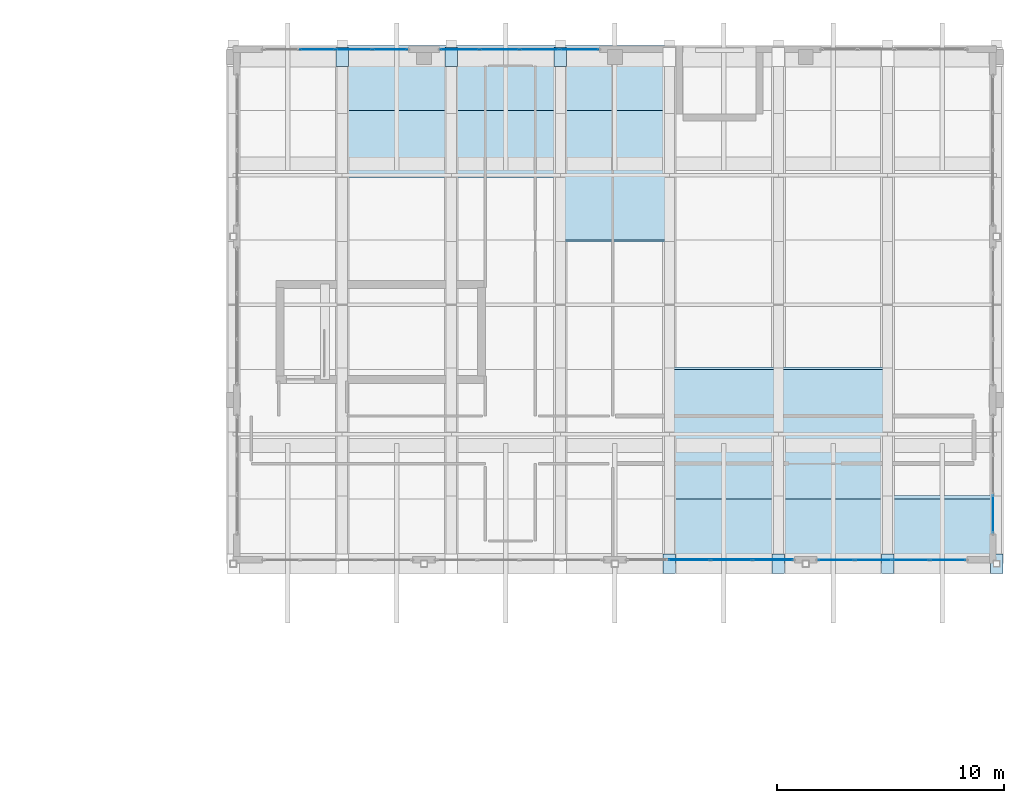
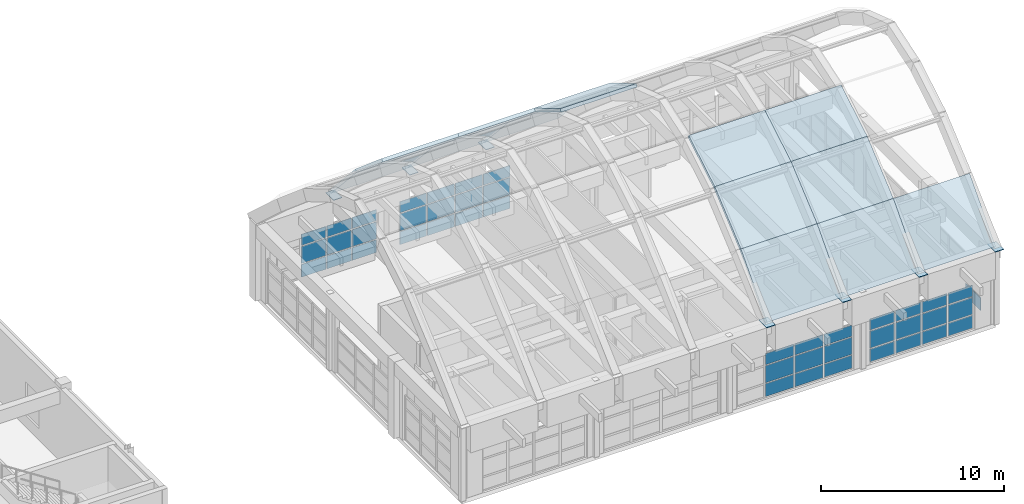
# One storey, part 59 of 78: 50 plates, 14 slabs, 5 elements without a shape of their own.
"""IFC4 building model written with IfcOpenShell, lengths in metres."""

from ifc_helpers import new_model, si_unit, direction, frame, origin, origin_2d, place, context, subcontext, project, spatial, polyline, rectangle, outline, extrude, material, layer, layer_set, type_object, element, aggregate, save


model = new_model("IFC4")

# Units and contexts
model_context = context("Model", 3, precision=1e-05, world=origin(), true_north=direction((0.0, 1.0)))
body_context = subcontext(model_context, "Body", "Model", "MODEL_VIEW")
ifc_project = project(units=[si_unit("LENGTHUNIT", "METRE"), si_unit("AREAUNIT", "SQUARE_METRE"), si_unit("VOLUMEUNIT", "CUBIC_METRE"), si_unit("PLANEANGLEUNIT", "RADIAN"), si_unit("MASSUNIT", "GRAM", prefix="KILO")], contexts=[model_context])

# Site, building, storey
site_placement = place(None, origin())
site = spatial("IfcSite", under=ifc_project, at=site_placement, CompositionType="ELEMENT")
building_placement = place(site_placement, origin())
building = spatial("IfcBuilding", under=site, at=building_placement, Name="Quendrovan Civic Courthouse", CompositionType="ELEMENT")
storey_placement = place(building_placement, frame((0.0, 0.0, 20.39990234375)))
storey = spatial("IfcBuildingStorey", under=building, at=storey_placement, Name="L05", CompositionType="ELEMENT", Elevation=20.39990234375)

# Curtain wall, plates
ifc_material_1 = material(Name="Bronze anodised aluminium and low-E glass", Category="aluminium")
ifc_layer_1 = layer(ifc_material_1, 0.179931640625, Name="Bronze anodised aluminium and low-E glass")
ifc_layer_set_1 = layer_set([ifc_layer_1], Name="Bronze anodised aluminium and low-E glass")
curtain_wall_type_1 = type_object("IfcCurtainWallType", Name="CW-U64x30", PredefinedType="USERDEFINED", material=ifc_layer_set_1)
curtain_wall_1_placement = place(storey_placement, origin())
curtain_wall_1 = element("IfcCurtainWall", 1, at=curtain_wall_1_placement, inside=storey, type_object=curtain_wall_type_1, Name="L05 Unitised Hurricane Curtain Wall CW-192", ObjectType="UNITISED CURTAIN WALL", PredefinedType="USERDEFINED")
ifc_material_2 = material(Name="Laminated hurricane-impact low-E glass", Category="glass")
ifc_layer_2 = layer(ifc_material_2, 0.028076171875, Name="Laminated hurricane-impact low-E glass")
ifc_layer_set_2 = layer_set([ifc_layer_2], Name="Laminated hurricane-impact low-E glass")
plate_type_1 = type_object("IfcPlateType", Name="CW-PNL-1", PredefinedType="CURTAIN_PANEL", material=ifc_layer_set_2)
plate_1_placement = place(storey_placement, frame((112.909423828125, 110.235107421875, 0.0703125), z_axis=(0.0, 0.0, 1.0), x_axis=(1.0, 0.0, 0.0)))
plate_1 = element("IfcPlate", 2, at=plate_1_placement, type_object=plate_type_1, Name="CW-192 panel 2.1", PredefinedType="CURTAIN_PANEL", context=body_context, shape_type="SweptSolid", body=[
    extrude(rectangle(XDim=1.5361328125, YDim=0.028076171875, at=origin_2d()), origin(), (0.0, 0.0, 1.0), 0.844970703125),
])
plate_2_placement = place(storey_placement, frame((112.909423828125, 110.235107421875, 0.985107421875), z_axis=(0.0, 0.0, 1.0), x_axis=(1.0, 0.0, 0.0)))
plate_2 = element("IfcPlate", 3, at=plate_2_placement, type_object=plate_type_1, Name="CW-192 panel 2.2", PredefinedType="CURTAIN_PANEL", context=body_context, shape_type="SweptSolid", body=[
    extrude(rectangle(XDim=1.5361328125, YDim=0.028076171875, at=origin_2d()), origin(), (0.0, 0.0, 1.0), 1.1298828125),
])
plate_3_placement = place(storey_placement, frame((112.909423828125, 110.235107421875, 2.18505859375), z_axis=(0.0, 0.0, 1.0), x_axis=(1.0, 0.0, 0.0)))
plate_3 = element("IfcPlate", 4, at=plate_3_placement, type_object=plate_type_1, Name="CW-192 panel 2.3", PredefinedType="CURTAIN_PANEL", context=body_context, shape_type="SweptSolid", body=[
    extrude(rectangle(XDim=1.5361328125, YDim=0.028076171875, at=origin_2d()), origin(), (0.0, 0.0, 1.0), 0.735107421875),
])
plate_4_placement = place(storey_placement, frame((114.515625, 110.235107421875, 0.0703125), z_axis=(0.0, 0.0, 1.0), x_axis=(1.0, 0.0, 0.0)))
plate_4 = element("IfcPlate", 5, at=plate_4_placement, type_object=plate_type_1, Name="CW-192 panel 3.1", PredefinedType="CURTAIN_PANEL", context=body_context, shape_type="SweptSolid", body=[
    extrude(rectangle(XDim=1.5361328125, YDim=0.028076171875, at=origin_2d()), origin(), (0.0, 0.0, 1.0), 0.844970703125),
])
plate_5_placement = place(storey_placement, frame((114.515625, 110.235107421875, 0.985107421875), z_axis=(0.0, 0.0, 1.0), x_axis=(1.0, 0.0, 0.0)))
plate_5 = element("IfcPlate", 6, at=plate_5_placement, type_object=plate_type_1, Name="CW-192 panel 3.2", PredefinedType="CURTAIN_PANEL", context=body_context, shape_type="SweptSolid", body=[
    extrude(rectangle(XDim=1.5361328125, YDim=0.028076171875, at=origin_2d()), origin(), (0.0, 0.0, 1.0), 1.1298828125),
])
plate_6_placement = place(storey_placement, frame((114.515625, 110.235107421875, 2.18505859375), z_axis=(0.0, 0.0, 1.0), x_axis=(1.0, 0.0, 0.0)))
plate_6 = element("IfcPlate", 7, at=plate_6_placement, type_object=plate_type_1, Name="CW-192 panel 3.3", PredefinedType="CURTAIN_PANEL", context=body_context, shape_type="SweptSolid", body=[
    extrude(rectangle(XDim=1.5361328125, YDim=0.028076171875, at=origin_2d()), origin(), (0.0, 0.0, 1.0), 0.735107421875),
])
plate_7_placement = place(storey_placement, frame((116.1044921875, 110.235107421875, 0.0703125), z_axis=(0.0, 0.0, 1.0), x_axis=(1.0, 0.0, 0.0)))
plate_7 = element("IfcPlate", 8, at=plate_7_placement, type_object=plate_type_1, Name="CW-192 panel 4.1", PredefinedType="CURTAIN_PANEL", context=body_context, shape_type="SweptSolid", body=[
    extrude(rectangle(XDim=1.501220703125, YDim=0.028076171875, at=origin_2d()), origin(), (0.0, 0.0, 1.0), 0.844970703125),
])
plate_8_placement = place(storey_placement, frame((116.1044921875, 110.235107421875, 0.985107421875), z_axis=(0.0, 0.0, 1.0), x_axis=(1.0, 0.0, 0.0)))
plate_8 = element("IfcPlate", 9, at=plate_8_placement, type_object=plate_type_1, Name="CW-192 panel 4.2", PredefinedType="CURTAIN_PANEL", context=body_context, shape_type="SweptSolid", body=[
    extrude(rectangle(XDim=1.501220703125, YDim=0.028076171875, at=origin_2d()), origin(), (0.0, 0.0, 1.0), 1.1298828125),
])
plate_9_placement = place(storey_placement, frame((116.1044921875, 110.235107421875, 2.18505859375), z_axis=(0.0, 0.0, 1.0), x_axis=(1.0, 0.0, 0.0)))
plate_9 = element("IfcPlate", 10, at=plate_9_placement, type_object=plate_type_1, Name="CW-192 panel 4.3", PredefinedType="CURTAIN_PANEL", context=body_context, shape_type="SweptSolid", body=[
    extrude(rectangle(XDim=1.501220703125, YDim=0.028076171875, at=origin_2d()), origin(), (0.0, 0.0, 1.0), 0.735107421875),
])
aggregate(curtain_wall_1, [plate_1, plate_2, plate_3, plate_4, plate_5, plate_6, plate_7, plate_8, plate_9])

ifc_layer_3 = layer(ifc_material_1, 0.179931640625, Name="Bronze anodised aluminium and low-E glass")
ifc_layer_set_3 = layer_set([ifc_layer_3], Name="Bronze anodised aluminium and low-E glass")
curtain_wall_type_2 = type_object("IfcCurtainWallType", Name="CW-U70x30", PredefinedType="USERDEFINED", material=ifc_layer_set_3)
curtain_wall_2_placement = place(storey_placement, origin())
curtain_wall_2 = element("IfcCurtainWall", 11, at=curtain_wall_2_placement, inside=storey, type_object=curtain_wall_type_2, Name="L05 Unitised Hurricane Curtain Wall CW-193", ObjectType="UNITISED CURTAIN WALL", PredefinedType="USERDEFINED")
ifc_layer_4 = layer(ifc_material_2, 0.031982421875, Name="Laminated hurricane-impact low-E glass")
ifc_layer_set_4 = layer_set([ifc_layer_4], Name="Laminated hurricane-impact low-E glass")
plate_type_2 = type_object("IfcPlateType", Name="CW-PNL-2", PredefinedType="CURTAIN_PANEL", material=ifc_layer_set_4)
plate_10_placement = place(storey_placement, frame((119.172607421875, 110.235107421875, 0.065185546875), z_axis=(0.0, 0.0, 1.0), x_axis=(1.0, 0.0, 0.0)))
plate_10 = element("IfcPlate", 12, at=plate_10_placement, type_object=plate_type_2, Name="CW-193 panel 1.1", PredefinedType="CURTAIN_PANEL", context=body_context, shape_type="SweptSolid", body=[
    extrude(rectangle(XDim=1.6650390625, YDim=0.031982421875, at=origin_2d()), origin(), (0.0, 0.0, 1.0), 0.8525390625),
])
plate_11_placement = place(storey_placement, frame((119.172607421875, 110.235107421875, 0.982421875), z_axis=(0.0, 0.0, 1.0), x_axis=(1.0, 0.0, 0.0)))
plate_11 = element("IfcPlate", 13, at=plate_11_placement, type_object=plate_type_2, Name="CW-193 panel 1.2", PredefinedType="CURTAIN_PANEL", context=body_context, shape_type="SweptSolid", body=[
    extrude(rectangle(XDim=1.6650390625, YDim=0.031982421875, at=origin_2d()), origin(), (0.0, 0.0, 1.0), 1.135009765625),
])
plate_12_placement = place(storey_placement, frame((119.172607421875, 110.235107421875, 2.1826171875), z_axis=(0.0, 0.0, 1.0), x_axis=(1.0, 0.0, 0.0)))
plate_12 = element("IfcPlate", 14, at=plate_12_placement, type_object=plate_type_2, Name="CW-193 panel 1.3", PredefinedType="CURTAIN_PANEL", context=body_context, shape_type="SweptSolid", body=[
    extrude(rectangle(XDim=1.6650390625, YDim=0.031982421875, at=origin_2d()), origin(), (0.0, 0.0, 1.0), 0.742431640625),
])
plate_13_placement = place(storey_placement, frame((120.918701171875, 110.235107421875, 0.065185546875), z_axis=(0.0, 0.0, 1.0), x_axis=(1.0, 0.0, 0.0)))
plate_13 = element("IfcPlate", 15, at=plate_13_placement, type_object=plate_type_2, Name="CW-193 panel 2.1", PredefinedType="CURTAIN_PANEL", context=body_context, shape_type="SweptSolid", body=[
    extrude(rectangle(XDim=1.697509765625, YDim=0.031982421875, at=origin_2d()), origin(), (0.0, 0.0, 1.0), 0.8525390625),
])
plate_14_placement = place(storey_placement, frame((120.918701171875, 110.235107421875, 0.982421875), z_axis=(0.0, 0.0, 1.0), x_axis=(1.0, 0.0, 0.0)))
plate_14 = element("IfcPlate", 16, at=plate_14_placement, type_object=plate_type_2, Name="CW-193 panel 2.2", PredefinedType="CURTAIN_PANEL", context=body_context, shape_type="SweptSolid", body=[
    extrude(rectangle(XDim=1.697509765625, YDim=0.031982421875, at=origin_2d()), origin(), (0.0, 0.0, 1.0), 1.135009765625),
])
plate_15_placement = place(storey_placement, frame((120.918701171875, 110.235107421875, 2.1826171875), z_axis=(0.0, 0.0, 1.0), x_axis=(1.0, 0.0, 0.0)))
plate_15 = element("IfcPlate", 17, at=plate_15_placement, type_object=plate_type_2, Name="CW-193 panel 2.3", PredefinedType="CURTAIN_PANEL", context=body_context, shape_type="SweptSolid", body=[
    extrude(rectangle(XDim=1.697509765625, YDim=0.031982421875, at=origin_2d()), origin(), (0.0, 0.0, 1.0), 0.742431640625),
])
plate_16_placement = place(storey_placement, frame((122.68115234375, 110.235107421875, 0.065185546875), z_axis=(0.0, 0.0, 1.0), x_axis=(1.0, 0.0, 0.0)))
plate_16 = element("IfcPlate", 18, at=plate_16_placement, type_object=plate_type_2, Name="CW-193 panel 3.1", PredefinedType="CURTAIN_PANEL", context=body_context, shape_type="SweptSolid", body=[
    extrude(rectangle(XDim=1.697509765625, YDim=0.031982421875, at=origin_2d()), origin(), (0.0, 0.0, 1.0), 0.8525390625),
])
plate_17_placement = place(storey_placement, frame((122.68115234375, 110.235107421875, 0.982421875), z_axis=(0.0, 0.0, 1.0), x_axis=(1.0, 0.0, 0.0)))
plate_17 = element("IfcPlate", 19, at=plate_17_placement, type_object=plate_type_2, Name="CW-193 panel 3.2", PredefinedType="CURTAIN_PANEL", context=body_context, shape_type="SweptSolid", body=[
    extrude(rectangle(XDim=1.697509765625, YDim=0.031982421875, at=origin_2d()), origin(), (0.0, 0.0, 1.0), 1.135009765625),
])
plate_18_placement = place(storey_placement, frame((122.68115234375, 110.235107421875, 2.1826171875), z_axis=(0.0, 0.0, 1.0), x_axis=(1.0, 0.0, 0.0)))
plate_18 = element("IfcPlate", 20, at=plate_18_placement, type_object=plate_type_2, Name="CW-193 panel 3.3", PredefinedType="CURTAIN_PANEL", context=body_context, shape_type="SweptSolid", body=[
    extrude(rectangle(XDim=1.697509765625, YDim=0.031982421875, at=origin_2d()), origin(), (0.0, 0.0, 1.0), 0.742431640625),
])
plate_19_placement = place(storey_placement, frame((124.427490234375, 110.235107421875, 0.065185546875), z_axis=(0.0, 0.0, 1.0), x_axis=(1.0, 0.0, 0.0)))
plate_19 = element("IfcPlate", 21, at=plate_19_placement, type_object=plate_type_2, Name="CW-193 panel 4.1", PredefinedType="CURTAIN_PANEL", context=body_context, shape_type="SweptSolid", body=[
    extrude(rectangle(XDim=1.6650390625, YDim=0.031982421875, at=origin_2d()), origin(), (0.0, 0.0, 1.0), 0.8525390625),
])
plate_20_placement = place(storey_placement, frame((124.427490234375, 110.235107421875, 0.982421875), z_axis=(0.0, 0.0, 1.0), x_axis=(1.0, 0.0, 0.0)))
plate_20 = element("IfcPlate", 22, at=plate_20_placement, type_object=plate_type_2, Name="CW-193 panel 4.2", PredefinedType="CURTAIN_PANEL", context=body_context, shape_type="SweptSolid", body=[
    extrude(rectangle(XDim=1.6650390625, YDim=0.031982421875, at=origin_2d()), origin(), (0.0, 0.0, 1.0), 1.135009765625),
])
plate_21_placement = place(storey_placement, frame((124.427490234375, 110.235107421875, 2.1826171875), z_axis=(0.0, 0.0, 1.0), x_axis=(1.0, 0.0, 0.0)))
plate_21 = element("IfcPlate", 23, at=plate_21_placement, type_object=plate_type_2, Name="CW-193 panel 4.3", PredefinedType="CURTAIN_PANEL", context=body_context, shape_type="SweptSolid", body=[
    extrude(rectangle(XDim=1.6650390625, YDim=0.031982421875, at=origin_2d()), origin(), (0.0, 0.0, 1.0), 0.742431640625),
])
aggregate(curtain_wall_2, [plate_10, plate_11, plate_12, plate_13, plate_14, plate_15, plate_16, plate_17, plate_18, plate_19, plate_20, plate_21])

# Curtain wall, plate
ifc_layer_5 = layer(ifc_material_1, 0.179931640625, Name="Bronze anodised aluminium and low-E glass")
ifc_layer_set_5 = layer_set([ifc_layer_5], Name="Bronze anodised aluminium and low-E glass")
curtain_wall_type_3 = type_object("IfcCurtainWallType", Name="CW-U52x30", PredefinedType="USERDEFINED", material=ifc_layer_set_5)
curtain_wall_3_placement = place(storey_placement, origin())
curtain_wall_3 = element("IfcCurtainWall", 24, at=curtain_wall_3_placement, inside=storey, type_object=curtain_wall_type_3, Name="L05 Unitised Hurricane Curtain Wall CW-197", ObjectType="UNITISED CURTAIN WALL", PredefinedType="USERDEFINED")
plate_22_placement = place(storey_placement, frame((142.635009765625, 89.787109375, 0.065185546875), z_axis=(0.0, 0.0, 1.0), x_axis=(0.0, -1.0, 0.0)))
plate_22 = element("IfcPlate", 25, at=plate_22_placement, type_object=plate_type_2, Name="CW-197 panel 3.1", PredefinedType="CURTAIN_PANEL", context=body_context, shape_type="SweptSolid", body=[
    extrude(rectangle(XDim=1.644287109375, YDim=0.031982421875, at=origin_2d()), origin(), (0.0, 0.0, 1.0), 0.8525390625),
])
aggregate(curtain_wall_3, [plate_22])

# Curtain wall, plates
ifc_layer_6 = layer(ifc_material_1, 0.179931640625, Name="Bronze anodised aluminium and low-E glass")
ifc_layer_set_6 = layer_set([ifc_layer_6], Name="Bronze anodised aluminium and low-E glass")
curtain_wall_type_4 = type_object("IfcCurtainWallType", Name="CW-U66x30", PredefinedType="USERDEFINED", material=ifc_layer_set_6)
curtain_wall_4_placement = place(storey_placement, origin())
curtain_wall_4 = element("IfcCurtainWall", 26, at=curtain_wall_4_placement, inside=storey, type_object=curtain_wall_type_4, Name="L05 Unitised Hurricane Curtain Wall CW-198", ObjectType="UNITISED CURTAIN WALL", PredefinedType="USERDEFINED")
ifc_layer_7 = layer(ifc_material_2, 0.035888671875, Name="Laminated hurricane-impact low-E glass")
ifc_layer_set_7 = layer_set([ifc_layer_7], Name="Laminated hurricane-impact low-E glass")
plate_type_3 = type_object("IfcPlateType", Name="CW-PNL-3", PredefinedType="CURTAIN_PANEL", material=ifc_layer_set_7)
plate_23_placement = place(storey_placement, frame((140.657470703125, 87.764892578125, 0.0703125), z_axis=(0.0, 0.0, 1.0), x_axis=(-1.0, 0.0, 0.0)))
plate_23 = element("IfcPlate", 27, at=plate_23_placement, type_object=plate_type_3, Name="CW-198 panel 1.1", PredefinedType="CURTAIN_PANEL", context=body_context, shape_type="SweptSolid", body=[
    extrude(rectangle(XDim=1.544921875, YDim=0.035888671875, at=origin_2d()), origin(), (0.0, 0.0, 1.0), 0.844970703125),
])
plate_24_placement = place(storey_placement, frame((140.657470703125, 87.764892578125, 0.985107421875), z_axis=(0.0, 0.0, 1.0), x_axis=(-1.0, 0.0, 0.0)))
plate_24 = element("IfcPlate", 28, at=plate_24_placement, type_object=plate_type_3, Name="CW-198 panel 1.2", PredefinedType="CURTAIN_PANEL", context=body_context, shape_type="SweptSolid", body=[
    extrude(rectangle(XDim=1.544921875, YDim=0.035888671875, at=origin_2d()), origin(), (0.0, 0.0, 1.0), 1.1298828125),
])
plate_25_placement = place(storey_placement, frame((140.657470703125, 87.764892578125, 2.18505859375), z_axis=(0.0, 0.0, 1.0), x_axis=(-1.0, 0.0, 0.0)))
plate_25 = element("IfcPlate", 29, at=plate_25_placement, type_object=plate_type_3, Name="CW-198 panel 1.3", PredefinedType="CURTAIN_PANEL", context=body_context, shape_type="SweptSolid", body=[
    extrude(rectangle(XDim=1.544921875, YDim=0.035888671875, at=origin_2d()), origin(), (0.0, 0.0, 1.0), 0.735107421875),
])
plate_26_placement = place(storey_placement, frame((139.02490234375, 87.764892578125, 0.0703125), z_axis=(0.0, 0.0, 1.0), x_axis=(-1.0, 0.0, 0.0)))
plate_26 = element("IfcPlate", 30, at=plate_26_placement, type_object=plate_type_3, Name="CW-198 panel 2.1", PredefinedType="CURTAIN_PANEL", context=body_context, shape_type="SweptSolid", body=[
    extrude(rectangle(XDim=1.580078125, YDim=0.035888671875, at=origin_2d()), origin(), (0.0, 0.0, 1.0), 0.844970703125),
])
plate_27_placement = place(storey_placement, frame((139.02490234375, 87.764892578125, 0.985107421875), z_axis=(0.0, 0.0, 1.0), x_axis=(-1.0, 0.0, 0.0)))
plate_27 = element("IfcPlate", 31, at=plate_27_placement, type_object=plate_type_3, Name="CW-198 panel 2.2", PredefinedType="CURTAIN_PANEL", context=body_context, shape_type="SweptSolid", body=[
    extrude(rectangle(XDim=1.580078125, YDim=0.035888671875, at=origin_2d()), origin(), (0.0, 0.0, 1.0), 1.1298828125),
])
plate_28_placement = place(storey_placement, frame((139.02490234375, 87.764892578125, 2.18505859375), z_axis=(0.0, 0.0, 1.0), x_axis=(-1.0, 0.0, 0.0)))
plate_28 = element("IfcPlate", 32, at=plate_28_placement, type_object=plate_type_3, Name="CW-198 panel 2.3", PredefinedType="CURTAIN_PANEL", context=body_context, shape_type="SweptSolid", body=[
    extrude(rectangle(XDim=1.580078125, YDim=0.035888671875, at=origin_2d()), origin(), (0.0, 0.0, 1.0), 0.735107421875),
])
plate_29_placement = place(storey_placement, frame((137.375, 87.764892578125, 0.0703125), z_axis=(0.0, 0.0, 1.0), x_axis=(-1.0, 0.0, 0.0)))
plate_29 = element("IfcPlate", 33, at=plate_29_placement, type_object=plate_type_3, Name="CW-198 panel 3.1", PredefinedType="CURTAIN_PANEL", context=body_context, shape_type="SweptSolid", body=[
    extrude(rectangle(XDim=1.580078125, YDim=0.035888671875, at=origin_2d()), origin(), (0.0, 0.0, 1.0), 0.844970703125),
])
plate_30_placement = place(storey_placement, frame((137.375, 87.764892578125, 0.985107421875), z_axis=(0.0, 0.0, 1.0), x_axis=(-1.0, 0.0, 0.0)))
plate_30 = element("IfcPlate", 34, at=plate_30_placement, type_object=plate_type_3, Name="CW-198 panel 3.2", PredefinedType="CURTAIN_PANEL", context=body_context, shape_type="SweptSolid", body=[
    extrude(rectangle(XDim=1.580078125, YDim=0.035888671875, at=origin_2d()), origin(), (0.0, 0.0, 1.0), 1.1298828125),
])
plate_31_placement = place(storey_placement, frame((137.375, 87.764892578125, 2.18505859375), z_axis=(0.0, 0.0, 1.0), x_axis=(-1.0, 0.0, 0.0)))
plate_31 = element("IfcPlate", 35, at=plate_31_placement, type_object=plate_type_3, Name="CW-198 panel 3.3", PredefinedType="CURTAIN_PANEL", context=body_context, shape_type="SweptSolid", body=[
    extrude(rectangle(XDim=1.580078125, YDim=0.035888671875, at=origin_2d()), origin(), (0.0, 0.0, 1.0), 0.735107421875),
])
plate_32_placement = place(storey_placement, frame((135.742431640625, 87.764892578125, 0.0703125), z_axis=(0.0, 0.0, 1.0), x_axis=(-1.0, 0.0, 0.0)))
plate_32 = element("IfcPlate", 36, at=plate_32_placement, type_object=plate_type_3, Name="CW-198 panel 4.1", PredefinedType="CURTAIN_PANEL", context=body_context, shape_type="SweptSolid", body=[
    extrude(rectangle(XDim=1.544921875, YDim=0.035888671875, at=origin_2d()), origin(), (0.0, 0.0, 1.0), 0.844970703125),
])
plate_33_placement = place(storey_placement, frame((135.742431640625, 87.764892578125, 0.985107421875), z_axis=(0.0, 0.0, 1.0), x_axis=(-1.0, 0.0, 0.0)))
plate_33 = element("IfcPlate", 37, at=plate_33_placement, type_object=plate_type_3, Name="CW-198 panel 4.2", PredefinedType="CURTAIN_PANEL", context=body_context, shape_type="SweptSolid", body=[
    extrude(rectangle(XDim=1.544921875, YDim=0.035888671875, at=origin_2d()), origin(), (0.0, 0.0, 1.0), 1.1298828125),
])
plate_34_placement = place(storey_placement, frame((135.742431640625, 87.764892578125, 2.18505859375), z_axis=(0.0, 0.0, 1.0), x_axis=(-1.0, 0.0, 0.0)))
plate_34 = element("IfcPlate", 38, at=plate_34_placement, type_object=plate_type_3, Name="CW-198 panel 4.3", PredefinedType="CURTAIN_PANEL", context=body_context, shape_type="SweptSolid", body=[
    extrude(rectangle(XDim=1.544921875, YDim=0.035888671875, at=origin_2d()), origin(), (0.0, 0.0, 1.0), 0.735107421875),
])
aggregate(curtain_wall_4, [plate_23, plate_24, plate_25, plate_26, plate_27, plate_28, plate_29, plate_30, plate_31, plate_32, plate_33, plate_34])

ifc_layer_8 = layer(ifc_material_1, 0.179931640625, Name="Bronze anodised aluminium and low-E glass")
ifc_layer_set_8 = layer_set([ifc_layer_8], Name="Bronze anodised aluminium and low-E glass")
curtain_wall_type_5 = type_object("IfcCurtainWallType", Name="CW-U74x30", PredefinedType="USERDEFINED", material=ifc_layer_set_8)
curtain_wall_5_placement = place(storey_placement, origin())
curtain_wall_5 = element("IfcCurtainWall", 39, at=curtain_wall_5_placement, inside=storey, type_object=curtain_wall_type_5, Name="L05 Unitised Hurricane Curtain Wall CW-199", ObjectType="UNITISED CURTAIN WALL", PredefinedType="USERDEFINED")
ifc_layer_9 = layer(ifc_material_2, 0.0419921875, Name="Laminated hurricane-impact low-E glass")
ifc_layer_set_9 = layer_set([ifc_layer_9], Name="Laminated hurricane-impact low-E glass")
plate_type_4 = type_object("IfcPlateType", Name="CW-PNL-4", PredefinedType="CURTAIN_PANEL", material=ifc_layer_set_9)
plate_35_placement = place(storey_placement, frame((132.958740234375, 87.764892578125, 0.065185546875), z_axis=(0.0, 0.0, 1.0), x_axis=(-1.0, 0.0, 0.0)))
plate_35 = element("IfcPlate", 40, at=plate_35_placement, type_object=plate_type_4, Name="CW-199 panel 1.1", PredefinedType="CURTAIN_PANEL", context=body_context, shape_type="SweptSolid", body=[
    extrude(rectangle(XDim=1.75244140625, YDim=0.0419921875, at=origin_2d()), origin(), (0.0, 0.0, 1.0), 0.8525390625),
])
plate_36_placement = place(storey_placement, frame((132.958740234375, 87.764892578125, 0.982421875), z_axis=(0.0, 0.0, 1.0), x_axis=(-1.0, 0.0, 0.0)))
plate_36 = element("IfcPlate", 41, at=plate_36_placement, type_object=plate_type_4, Name="CW-199 panel 1.2", PredefinedType="CURTAIN_PANEL", context=body_context, shape_type="SweptSolid", body=[
    extrude(rectangle(XDim=1.75244140625, YDim=0.0419921875, at=origin_2d()), origin(), (0.0, 0.0, 1.0), 1.135009765625),
])
plate_37_placement = place(storey_placement, frame((132.958740234375, 87.764892578125, 2.1826171875), z_axis=(0.0, 0.0, 1.0), x_axis=(-1.0, 0.0, 0.0)))
plate_37 = element("IfcPlate", 42, at=plate_37_placement, type_object=plate_type_4, Name="CW-199 panel 1.3", PredefinedType="CURTAIN_PANEL", context=body_context, shape_type="SweptSolid", body=[
    extrude(rectangle(XDim=1.75244140625, YDim=0.0419921875, at=origin_2d()), origin(), (0.0, 0.0, 1.0), 0.742431640625),
])
plate_38_placement = place(storey_placement, frame((131.125, 87.764892578125, 0.065185546875), z_axis=(0.0, 0.0, 1.0), x_axis=(-1.0, 0.0, 0.0)))
plate_38 = element("IfcPlate", 43, at=plate_38_placement, type_object=plate_type_4, Name="CW-199 panel 2.1", PredefinedType="CURTAIN_PANEL", context=body_context, shape_type="SweptSolid", body=[
    extrude(rectangle(XDim=1.784912109375, YDim=0.0419921875, at=origin_2d()), origin(), (0.0, 0.0, 1.0), 0.8525390625),
])
plate_39_placement = place(storey_placement, frame((131.125, 87.764892578125, 0.982421875), z_axis=(0.0, 0.0, 1.0), x_axis=(-1.0, 0.0, 0.0)))
plate_39 = element("IfcPlate", 44, at=plate_39_placement, type_object=plate_type_4, Name="CW-199 panel 2.2", PredefinedType="CURTAIN_PANEL", context=body_context, shape_type="SweptSolid", body=[
    extrude(rectangle(XDim=1.784912109375, YDim=0.0419921875, at=origin_2d()), origin(), (0.0, 0.0, 1.0), 1.135009765625),
])
plate_40_placement = place(storey_placement, frame((131.125, 87.764892578125, 2.1826171875), z_axis=(0.0, 0.0, 1.0), x_axis=(-1.0, 0.0, 0.0)))
plate_40 = element("IfcPlate", 45, at=plate_40_placement, type_object=plate_type_4, Name="CW-199 panel 2.3", PredefinedType="CURTAIN_PANEL", context=body_context, shape_type="SweptSolid", body=[
    extrude(rectangle(XDim=1.784912109375, YDim=0.0419921875, at=origin_2d()), origin(), (0.0, 0.0, 1.0), 0.742431640625),
])
plate_41_placement = place(storey_placement, frame((129.27490234375, 87.764892578125, 0.065185546875), z_axis=(0.0, 0.0, 1.0), x_axis=(-1.0, 0.0, 0.0)))
plate_41 = element("IfcPlate", 46, at=plate_41_placement, type_object=plate_type_4, Name="CW-199 panel 3.1", PredefinedType="CURTAIN_PANEL", context=body_context, shape_type="SweptSolid", body=[
    extrude(rectangle(XDim=1.784912109375, YDim=0.0419921875, at=origin_2d()), origin(), (0.0, 0.0, 1.0), 0.8525390625),
])
plate_42_placement = place(storey_placement, frame((129.27490234375, 87.764892578125, 0.982421875), z_axis=(0.0, 0.0, 1.0), x_axis=(-1.0, 0.0, 0.0)))
plate_42 = element("IfcPlate", 47, at=plate_42_placement, type_object=plate_type_4, Name="CW-199 panel 3.2", PredefinedType="CURTAIN_PANEL", context=body_context, shape_type="SweptSolid", body=[
    extrude(rectangle(XDim=1.784912109375, YDim=0.0419921875, at=origin_2d()), origin(), (0.0, 0.0, 1.0), 1.135009765625),
])
plate_43_placement = place(storey_placement, frame((129.27490234375, 87.764892578125, 2.1826171875), z_axis=(0.0, 0.0, 1.0), x_axis=(-1.0, 0.0, 0.0)))
plate_43 = element("IfcPlate", 48, at=plate_43_placement, type_object=plate_type_4, Name="CW-199 panel 3.3", PredefinedType="CURTAIN_PANEL", context=body_context, shape_type="SweptSolid", body=[
    extrude(rectangle(XDim=1.784912109375, YDim=0.0419921875, at=origin_2d()), origin(), (0.0, 0.0, 1.0), 0.742431640625),
])
aggregate(curtain_wall_5, [plate_35, plate_36, plate_37, plate_38, plate_39, plate_40, plate_41, plate_42, plate_43])

# Plates
ifc_material_3 = material(Name="Steel ASTM A572 Grade 50", Category="steel")
ifc_layer_10 = layer(ifc_material_3, 0.0400390625, Name="Steel ASTM A572 Grade 50")
ifc_layer_set_10 = layer_set([ifc_layer_10], Name="Steel ASTM A572 Grade 50")
plate_type_5 = type_object("IfcPlateType", Name="PLT-BASE-40", PredefinedType="USERDEFINED", material=ifc_layer_set_10)
for number, where, z_axis, x_axis, name in (
    (49, (114.0, 109.89990234375, 5.06005859375), (0.0, 0.0, 1.0), (1.0, 0.0, 0.0), "BV1 Vault Springing Bearing Plate A2-N"),
    (50, (118.800048828125, 109.89990234375, 5.06005859375), (0.0, 0.0, 1.0), (1.0, 0.0, 0.0), "BV1 Vault Springing Bearing Plate A3-N"),
    (51, (123.60009765625, 109.89990234375, 5.06005859375), (0.0, 0.0, 1.0), (1.0, 0.0, 0.0), "BV1 Vault Springing Bearing Plate A4-N"),
    (52, (128.39990234375, 87.60009765625, 5.06005859375), (0.0, 0.0, 1.0), (1.0, 0.0, 0.0), "BV1 Vault Springing Bearing Plate A5-S"),
    (53, (133.199951171875, 87.60009765625, 5.06005859375), (0.0, 0.0, 1.0), (1.0, 0.0, 0.0), "BV1 Vault Springing Bearing Plate A6-S"),
    (54, (138.0, 87.60009765625, 5.06005859375), (0.0, 0.0, 1.0), (1.0, 0.0, 0.0), "BV1 Vault Springing Bearing Plate A7-S"),
    (55, (142.800048828125, 87.60009765625, 5.06005859375), (0.0, 0.0, 1.0), (1.0, 0.0, 0.0), "BV1 Vault Springing Bearing Plate A8-S"),
):
    element("IfcPlate", number, at=place(storey_placement, frame(where, z_axis=z_axis, x_axis=x_axis)), inside=storey, type_object=plate_type_5, Name=name, ObjectType="BASE PLATE", PredefinedType="USERDEFINED", context=body_context, shape_type="SweptSolid", body=[
        extrude(rectangle(XDim=0.550048828125, YDim=0.85009765625, at=origin_2d()), origin(), (0.0, 0.0, 1.0), 0.0400390625),
    ])

# Slabs
ifc_material_4 = material(Name="Concrete C40/50", Category="concrete")
ifc_layer_11 = layer(ifc_material_4, 0.199951171875, Name="Concrete C40/50")
ifc_layer_set_11 = layer_set([ifc_layer_11], Name="Concrete C40/50")
slab_type = type_object("IfcSlabType", Name="SLB-VAULT-200", PredefinedType="ROOF", material=ifc_layer_set_11)
slab_1_placement = place(storey_placement, frame((114.0, 104.699951171875, 10.676025390625), z_axis=(0.0, 0.647083303495, 0.762419306116), x_axis=(1.0, 0.0, 0.0)))
element("IfcSlab", 56, at=slab_1_placement, inside=storey, type_object=slab_type, Name="BV1 Concrete Barrel Vault Shell Panel B2-C7", PredefinedType="ROOF", context=body_context, shape_type="SweptSolid", body=[
    extrude(outline(polyline([(0.0, 0.0), (4.800048828125, 0.0), (4.800048828125, 3.7382286012264507), (0.0, 3.7382286012264507), (0.0, 0.0)])), origin(), (0.0, 0.0, -1.0), 0.199951171875),
])
slab_2_placement = place(storey_placement, frame((114.0, 107.550048828125, 8.257080078125), z_axis=(0.0, 0.742291438004, 0.670077175456), x_axis=(1.0, 0.0, 0.0)))
element("IfcSlab", 57, at=slab_2_placement, inside=storey, type_object=slab_type, Name="BV1 Concrete Barrel Vault Shell Panel B2-C8", PredefinedType="ROOF", context=body_context, shape_type="SweptSolid", body=[
    extrude(outline(polyline([(0.0, 0.0), (4.800048828125, 0.0), (4.800048828125, 4.253022815897878), (0.0, 4.253022815897878), (0.0, 0.0)])), origin(), (0.0, 0.0, -1.0), 0.199951171875),
])
slab_3_placement = place(storey_placement, frame((118.800048828125, 104.699951171875, 10.676025390625), z_axis=(0.0, 0.647083303495, 0.762419306116), x_axis=(1.0, 0.0, 0.0)))
element("IfcSlab", 58, at=slab_3_placement, inside=storey, type_object=slab_type, Name="BV1 Concrete Barrel Vault Shell Panel B3-C7", PredefinedType="ROOF", context=body_context, shape_type="SweptSolid", body=[
    extrude(outline(polyline([(0.0, 0.0), (4.800048828125, 0.0), (4.800048828125, 3.7382286012264507), (0.0, 3.7382286012264507), (0.0, 0.0)])), origin(), (0.0, 0.0, -1.0), 0.199951171875),
])
slab_4_placement = place(storey_placement, frame((118.800048828125, 107.550048828125, 8.257080078125), z_axis=(0.0, 0.742291438004, 0.670077175456), x_axis=(1.0, 0.0, 0.0)))
element("IfcSlab", 59, at=slab_4_placement, inside=storey, type_object=slab_type, Name="BV1 Concrete Barrel Vault Shell Panel B3-C8", PredefinedType="ROOF", context=body_context, shape_type="SweptSolid", body=[
    extrude(outline(polyline([(0.0, 0.0), (4.800048828125, 0.0), (4.800048828125, 4.253022815897878), (0.0, 4.253022815897878), (0.0, 0.0)])), origin(), (0.0, 0.0, -1.0), 0.199951171875),
])
slab_5_placement = place(storey_placement, frame((123.60009765625, 101.85009765625, 12.357177734375), z_axis=(0.0, 0.508090296154, 0.861303808743), x_axis=(1.0, 0.0, 0.0)))
element("IfcSlab", 60, at=slab_5_placement, inside=storey, type_object=slab_type, Name="BV1 Concrete Barrel Vault Shell Panel B4-C6", PredefinedType="ROOF", context=body_context, shape_type="SweptSolid", body=[
    extrude(outline(polyline([(0.0, 0.0), (4.7998046875, 0.0), (4.7998046875, 3.3087668795816203), (0.0, 3.3087668795816203), (0.0, 0.0)])), origin(), (0.0, 0.0, -1.0), 0.199951171875),
])
slab_6_placement = place(storey_placement, frame((123.60009765625, 104.699951171875, 10.676025390625), z_axis=(0.0, 0.647083303495, 0.762419306116), x_axis=(1.0, 0.0, 0.0)))
element("IfcSlab", 61, at=slab_6_placement, inside=storey, type_object=slab_type, Name="BV1 Concrete Barrel Vault Shell Panel B4-C7", PredefinedType="ROOF", context=body_context, shape_type="SweptSolid", body=[
    extrude(outline(polyline([(0.0, 0.0), (4.7998046875, 0.0), (4.7998046875, 3.738228601226451), (0.0, 3.738228601226451), (0.0, 0.0)])), origin(), (0.0, 0.0, -1.0), 0.199951171875),
])
slab_7_placement = place(storey_placement, frame((123.60009765625, 107.550048828125, 8.257080078125), z_axis=(0.0, 0.742291438004, 0.670077175456), x_axis=(1.0, 0.0, 0.0)))
element("IfcSlab", 62, at=slab_7_placement, inside=storey, type_object=slab_type, Name="BV1 Concrete Barrel Vault Shell Panel B4-C8", PredefinedType="ROOF", context=body_context, shape_type="SweptSolid", body=[
    extrude(outline(polyline([(0.0, 0.0), (4.7998046875, 0.0), (4.7998046875, 4.253022815897878), (0.0, 4.253022815897878), (0.0, 0.0)])), origin(), (0.0, 0.0, -1.0), 0.199951171875),
])
slab_8_placement = place(storey_placement, frame((128.39990234375, 87.60009765625, 5.10009765625), z_axis=(0.0, -0.742291438004, 0.670077175456), x_axis=(1.0, 0.0, 0.0)))
element("IfcSlab", 63, at=slab_8_placement, inside=storey, type_object=slab_type, Name="BV1 Concrete Barrel Vault Shell Panel B5-C1", PredefinedType="ROOF", context=body_context, shape_type="SweptSolid", body=[
    extrude(outline(polyline([(0.0, 0.0), (4.800048828125, 0.0), (4.800048828125, 4.253022815897878), (0.0, 4.253022815897878), (0.0, 0.0)])), origin(), (0.0, 0.0, -1.0), 0.199951171875),
])
slab_9_placement = place(storey_placement, frame((128.39990234375, 90.449951171875, 8.257080078125), z_axis=(0.0, -0.647083303495, 0.762419306116), x_axis=(1.0, 0.0, 0.0)))
element("IfcSlab", 64, at=slab_9_placement, inside=storey, type_object=slab_type, Name="BV1 Concrete Barrel Vault Shell Panel B5-C2", PredefinedType="ROOF", context=body_context, shape_type="SweptSolid", body=[
    extrude(outline(polyline([(0.0, 0.0), (4.800048828125, 0.0), (4.800048828125, 3.7382286012264507), (0.0, 3.7382286012264507), (0.0, 0.0)])), origin(), (0.0, 0.0, -1.0), 0.199951171875),
])
slab_10_placement = place(storey_placement, frame((128.39990234375, 93.300048828125, 10.676025390625), z_axis=(0.0, -0.508090296154, 0.861303808743), x_axis=(1.0, 0.0, 0.0)))
element("IfcSlab", 65, at=slab_10_placement, inside=storey, type_object=slab_type, Name="BV1 Concrete Barrel Vault Shell Panel B5-C3", PredefinedType="ROOF", context=body_context, shape_type="SweptSolid", body=[
    extrude(outline(polyline([(0.0, 0.0), (4.800048828125, 0.0), (4.800048828125, 3.30876687958162), (0.0, 3.30876687958162), (0.0, 0.0)])), origin(), (0.0, 0.0, -1.0), 0.199951171875),
])
slab_11_placement = place(storey_placement, frame((133.199951171875, 87.60009765625, 5.10009765625), z_axis=(0.0, -0.742291438004, 0.670077175456), x_axis=(1.0, 0.0, 0.0)))
element("IfcSlab", 66, at=slab_11_placement, inside=storey, type_object=slab_type, Name="BV1 Concrete Barrel Vault Shell Panel B6-C1", PredefinedType="ROOF", context=body_context, shape_type="SweptSolid", body=[
    extrude(outline(polyline([(0.0, 0.0), (4.800048828125, 0.0), (4.800048828125, 4.253022815897878), (0.0, 4.253022815897878), (0.0, 0.0)])), origin(), (0.0, 0.0, -1.0), 0.199951171875),
])
slab_12_placement = place(storey_placement, frame((133.199951171875, 90.449951171875, 8.257080078125), z_axis=(0.0, -0.647083303495, 0.762419306116), x_axis=(1.0, 0.0, 0.0)))
element("IfcSlab", 67, at=slab_12_placement, inside=storey, type_object=slab_type, Name="BV1 Concrete Barrel Vault Shell Panel B6-C2", PredefinedType="ROOF", context=body_context, shape_type="SweptSolid", body=[
    extrude(outline(polyline([(0.0, 0.0), (4.800048828125, 0.0), (4.800048828125, 3.7382286012264507), (0.0, 3.7382286012264507), (0.0, 0.0)])), origin(), (0.0, 0.0, -1.0), 0.199951171875),
])
slab_13_placement = place(storey_placement, frame((133.199951171875, 93.300048828125, 10.676025390625), z_axis=(0.0, -0.508090296154, 0.861303808743), x_axis=(1.0, 0.0, 0.0)))
element("IfcSlab", 68, at=slab_13_placement, inside=storey, type_object=slab_type, Name="BV1 Concrete Barrel Vault Shell Panel B6-C3", PredefinedType="ROOF", context=body_context, shape_type="SweptSolid", body=[
    extrude(outline(polyline([(0.0, 0.0), (4.800048828125, 0.0), (4.800048828125, 3.30876687958162), (0.0, 3.30876687958162), (0.0, 0.0)])), origin(), (0.0, 0.0, -1.0), 0.199951171875),
])
slab_14_placement = place(storey_placement, frame((138.0, 87.60009765625, 5.10009765625), z_axis=(0.0, -0.742291438004, 0.670077175456), x_axis=(1.0, 0.0, 0.0)))
element("IfcSlab", 69, at=slab_14_placement, inside=storey, type_object=slab_type, Name="BV1 Concrete Barrel Vault Shell Panel B7-C1", PredefinedType="ROOF", context=body_context, shape_type="SweptSolid", body=[
    extrude(outline(polyline([(0.0, 0.0), (4.800048828125, 0.0), (4.800048828125, 4.253022815897878), (0.0, 4.253022815897878), (0.0, 0.0)])), origin(), (0.0, 0.0, -1.0), 0.199951171875),
])

save(model, "model.ifc")
